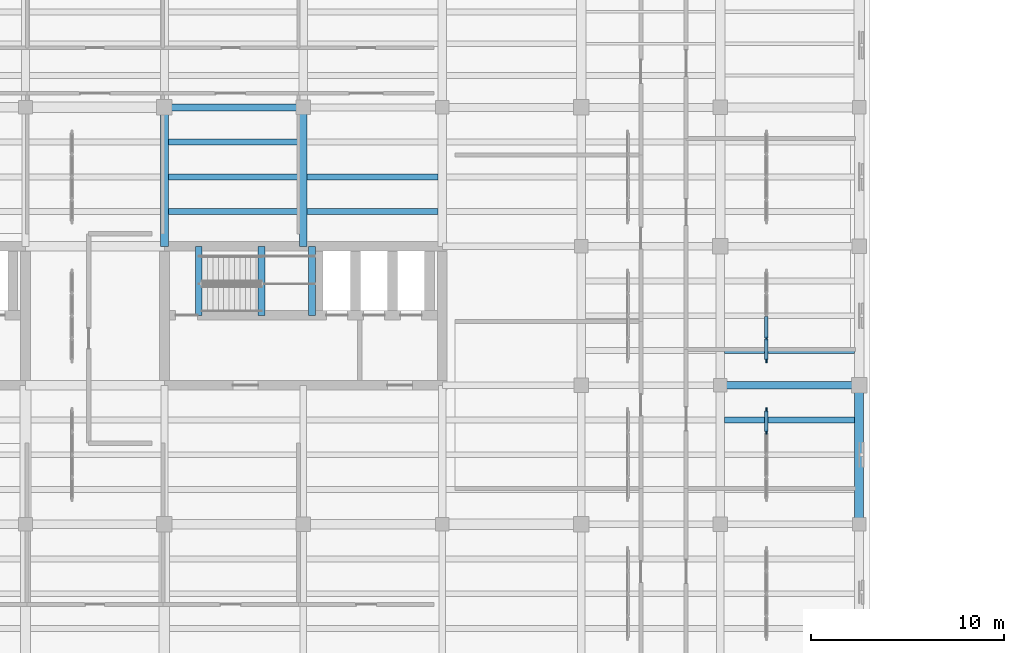
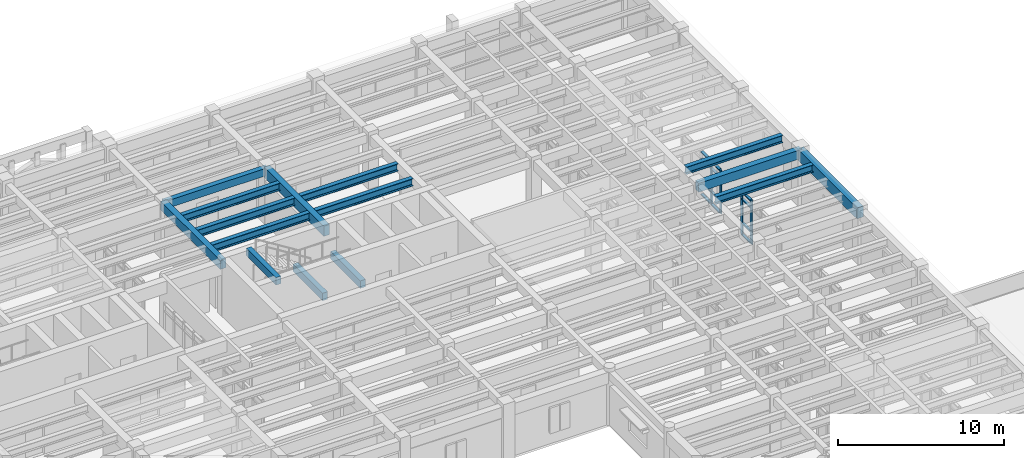
# One storey, part 32 of 76: 16 members, 15 beams, 2 elements without a shape of their own.
"""IFC4 building model written with IfcOpenShell, lengths in metres."""

from ifc_helpers import new_model, si_unit, direction, frame, origin, origin_2d, place, context, subcontext, project, spatial, rectangle, i_section, extrude, material, material_profile, profile_set, type_object, element, aggregate, save


model = new_model("IFC4")

# Units and contexts
model_context = context("Model", 3, precision=1e-05, world=origin(), true_north=direction((0.0, 1.0)))
body_context = subcontext(model_context, "Body", "Model", "MODEL_VIEW")
ifc_project = project(units=[si_unit("LENGTHUNIT", "METRE"), si_unit("AREAUNIT", "SQUARE_METRE"), si_unit("VOLUMEUNIT", "CUBIC_METRE"), si_unit("PLANEANGLEUNIT", "RADIAN"), si_unit("MASSUNIT", "GRAM", prefix="KILO")], contexts=[model_context])

# Site, building, storey
site_placement = place(None, origin())
site = spatial("IfcSite", under=ifc_project, at=site_placement, CompositionType="ELEMENT")
building_placement = place(site_placement, origin())
building = spatial("IfcBuilding", under=site, at=building_placement, Name="Mithqara Police Headquarters", CompositionType="ELEMENT")
storey_placement = place(building_placement, frame((0.0, 0.0, 5.39990234375)))
storey = spatial("IfcBuildingStorey", under=building, at=storey_placement, Name="L01", CompositionType="ELEMENT", Elevation=5.39990234375)

# Beams
ifc_material_1 = material(Name="Steel S355JR", Category="steel")
ifc_material_profile_1 = material_profile(ifc_material_1, i_section(OverallWidth=0.300048828125, OverallDepth=0.550048828125, WebThickness=0.014892578125, FlangeThickness=0.029052734375, FilletRadius=0.027099609375, at=origin_2d()), Name="HEB 550")
ifc_profile_set_1 = profile_set([ifc_material_profile_1], Name="Steel S355JR")
beam_type_1 = type_object("IfcBeamType", Name="BEAM HEB550", PredefinedType="BEAM", material=ifc_profile_set_1)
for number, where, z_axis, x_axis, name in (
    (1, (130.39990234375, 102.0, 3.64501953125), (1.0, 0.0, 0.0), (0.0, 1.0, 0.0), "L01 Composite Steel Joist 19-20/Q.1"),
    (2, (130.39990234375, 103.800048828125, 3.64501953125), (1.0, 0.0, 0.0), (0.0, 1.0, 0.0), "L01 Composite Steel Joist 19-20/Q.2"),
    (3, (130.39990234375, 105.60009765625, 3.64501953125), (1.0, 0.0, 0.0), (0.0, 1.0, 0.0), "L01 Composite Steel Joist 19-20/Q.3"),
):
    element("IfcBeam", number, at=place(storey_placement, frame(where, z_axis=z_axis, x_axis=x_axis)), inside=storey, type_object=beam_type_1, Name=name, PredefinedType="BEAM", context=body_context, shape_type="SweptSolid", body=[
        extrude(i_section(OverallWidth=0.300048828125, OverallDepth=0.550048828125, WebThickness=0.014892578125, FlangeThickness=0.029052734375, FilletRadius=0.027099609375, at=origin_2d()), origin(), (0.0, 0.0, 1.0), 6.800048828125),
    ])
for number, where, z_axis, x_axis, name in (
    (4, (137.60009765625, 102.0, 3.64501953125), (1.0, 0.0, 0.0), (0.0, 1.0, 0.0), "L01 Composite Steel Joist 20-21/Q.1"),
    (5, (137.60009765625, 103.800048828125, 3.64501953125), (1.0, 0.0, 0.0), (0.0, 1.0, 0.0), "L01 Composite Steel Joist 20-21/Q.2"),
):
    element("IfcBeam", number, at=place(storey_placement, frame(where, z_axis=z_axis, x_axis=x_axis)), inside=storey, type_object=beam_type_1, Name=name, PredefinedType="BEAM", context=body_context, shape_type="SweptSolid", body=[
        extrude(i_section(OverallWidth=0.300048828125, OverallDepth=0.550048828125, WebThickness=0.014892578125, FlangeThickness=0.029052734375, FilletRadius=0.027099609375, at=origin_2d()), origin(), (0.0, 0.0, 1.0), 6.77490234375),
    ])
beam_1_placement = place(storey_placement, frame((159.22509765625, 91.199951171875, 3.64501953125), z_axis=(1.0, 0.0, 0.0), x_axis=(0.0, 1.0, 0.0)))
element("IfcBeam", 6, at=beam_1_placement, inside=storey, type_object=beam_type_1, Name="L01 Composite Steel Joist 23-24/N.3", PredefinedType="BEAM", context=body_context, shape_type="SweptSolid", body=[
    extrude(i_section(OverallWidth=0.300048828125, OverallDepth=0.550048828125, WebThickness=0.014892578125, FlangeThickness=0.029052734375, FilletRadius=0.027099609375, at=origin_2d()), origin(), (0.0, 0.0, 1.0), 6.75),
])
beam_2_placement = place(storey_placement, frame((159.22509765625, 94.800048828125, 3.64501953125), z_axis=(1.0, 0.0, 0.0), x_axis=(0.0, 1.0, 0.0)))
element("IfcBeam", 7, at=beam_2_placement, inside=storey, type_object=beam_type_1, Name="L01 Composite Steel Joist 23-24/P.1", PredefinedType="BEAM", context=body_context, shape_type="SweptSolid", body=[
    extrude(i_section(OverallWidth=0.300048828125, OverallDepth=0.550048828125, WebThickness=0.014892578125, FlangeThickness=0.029052734375, FilletRadius=0.027099609375, at=origin_2d()), origin(), (0.0, 0.0, 1.0), 6.724853515625),
])
ifc_material_2 = material(Name="Concrete C40/50", Category="concrete")
ifc_material_profile_2 = material_profile(ifc_material_2, rectangle(XDim=0.35009765625, YDim=0.550048828125, at=origin_2d()), Name="RC 350x550")
ifc_profile_set_2 = profile_set([ifc_material_profile_2], Name="Concrete C40/50")
beam_type_2 = type_object("IfcBeamType", Name="BEAM RC350X550", PredefinedType="BEAM", material=ifc_profile_set_2)
beam_3_placement = place(storey_placement, frame((130.199951171875, 107.39990234375, 3.64501953125), z_axis=(1.0, 0.0, 0.0), x_axis=(0.0, 1.0, 0.0)))
element("IfcBeam", 8, at=beam_3_placement, inside=storey, type_object=beam_type_2, Name="L01 Girder 19-20/R", PredefinedType="BEAM", context=body_context, shape_type="SweptSolid", body=[
    extrude(rectangle(XDim=0.35009765625, YDim=0.550048828125, at=origin_2d()), origin(), (0.0, 0.0, 1.0), 7.199951171875),
])
for number, where, z_axis, x_axis, name in (
    (9, (135.22998046875, 96.6201171875, 1.635009765625), (0.0, 1.0, 0.0), (-1.0, 0.0, 0.0), "L01 ST-02 Half-Landing Bearer LF"),
    (10, (137.85009765625, 96.6201171875, 1.635009765625), (0.0, 1.0, 0.0), (-1.0, 0.0, 0.0), "L01 ST-02 Half-Landing Bearer LB"),
    (11, (131.97705078125, 96.6201171875, 3.925048828125), (0.0, 1.0, 0.0), (-1.0, 0.0, 0.0), "L01 ST-02 Stairwell Trimmer Beam"),
):
    element("IfcBeam", number, at=place(storey_placement, frame(where, z_axis=z_axis, x_axis=x_axis)), inside=storey, type_object=beam_type_2, Name=name, PredefinedType="BEAM", context=body_context, shape_type="SweptSolid", body=[
        extrude(rectangle(XDim=0.35009765625, YDim=0.550048828125, at=origin_2d()), origin(), (0.0, 0.0, 1.0), 3.579833984375),
    ])
ifc_material_profile_3 = material_profile(ifc_material_2, rectangle(XDim=0.39990234375, YDim=0.64990234375, at=origin_2d()), Name="RC 400x650")
ifc_profile_set_3 = profile_set([ifc_material_profile_3], Name="Concrete C40/50")
beam_type_3 = type_object("IfcBeamType", Name="BEAM RC400X650", PredefinedType="BEAM", material=ifc_profile_set_3)
for number, where, z_axis, x_axis, name in (
    (12, (130.199951171875, 100.199951171875, 3.59521484375), (0.0, 1.0, 0.0), (-1.0, 0.0, 0.0), "L01 Girder 19/Q-R"),
    (13, (159.0, 93.0, 3.59521484375), (1.0, 0.0, 0.0), (0.0, 1.0, 0.0), "L01 Girder 23-24/P"),
):
    element("IfcBeam", number, at=place(storey_placement, frame(where, z_axis=z_axis, x_axis=x_axis)), inside=storey, type_object=beam_type_3, Name=name, PredefinedType="BEAM", context=body_context, shape_type="SweptSolid", body=[
        extrude(rectangle(XDim=0.39990234375, YDim=0.64990234375, at=origin_2d()), origin(), (0.0, 0.0, 1.0), 7.199951171875),
    ])
ifc_material_profile_4 = material_profile(ifc_material_2, rectangle(XDim=0.39990234375, YDim=0.75, at=origin_2d()), Name="RC 400x750")
ifc_profile_set_4 = profile_set([ifc_material_profile_4], Name="Concrete C40/50")
beam_type_4 = type_object("IfcBeamType", Name="BEAM RC400X750", PredefinedType="BEAM", material=ifc_profile_set_4)
beam_4_placement = place(storey_placement, frame((137.39990234375, 100.199951171875, 3.545166015625), z_axis=(0.0, 1.0, 0.0), x_axis=(-1.0, 0.0, 0.0)))
element("IfcBeam", 14, at=beam_4_placement, inside=storey, type_object=beam_type_4, Name="L01 Girder 20/Q-R", PredefinedType="BEAM", context=body_context, shape_type="SweptSolid", body=[
    extrude(rectangle(XDim=0.39990234375, YDim=0.75, at=origin_2d()), origin(), (0.0, 0.0, 1.0), 7.199951171875),
])
ifc_material_profile_5 = material_profile(ifc_material_2, rectangle(XDim=0.449951171875, YDim=0.800048828125, at=origin_2d()), Name="RC 450x800")
ifc_profile_set_5 = profile_set([ifc_material_profile_5], Name="Concrete C40/50")
beam_type_5 = type_object("IfcBeamType", Name="BEAM RC450X800", PredefinedType="BEAM", material=ifc_profile_set_5)
beam_5_placement = place(storey_placement, frame((166.199951171875, 85.800048828125, 3.52001953125), z_axis=(0.0, 1.0, 0.0), x_axis=(-1.0, 0.0, 0.0)))
element("IfcBeam", 15, at=beam_5_placement, inside=storey, type_object=beam_type_5, Name="L01 Girder 24/N-P", PredefinedType="BEAM", context=body_context, shape_type="SweptSolid", body=[
    extrude(rectangle(XDim=0.449951171875, YDim=0.800048828125, at=origin_2d()), origin(), (0.0, 0.0, 1.0), 7.199951171875),
])

# Curtain wall, members
ifc_material_3 = material(Name="Bronze anodised aluminium 6063-T6", Category="aluminium")
curtain_wall_type = type_object("IfcCurtainWallType", Name="CURTAIN WALL 4700X3200", PredefinedType="USERDEFINED", material=ifc_material_3)
curtain_wall_1_placement = place(storey_placement, origin())
curtain_wall_1 = element("IfcCurtainWall", 16, at=curtain_wall_1_placement, inside=storey, type_object=curtain_wall_type, Name="L01 Unitised Glazing CW-15 (CW-INT-L01-X22-Y12-0)", ObjectType="UNITISED GLAZING", PredefinedType="USERDEFINED")
ifc_material_profile_6 = material_profile(ifc_material_3, rectangle(XDim=0.074951171875, YDim=0.219970703125, at=origin_2d()), Name="CWM 75x220")
ifc_profile_set_6 = profile_set([ifc_material_profile_6], Name="Bronze anodised aluminium 6063-T6")
member_type_1 = type_object("IfcMemberType", Name="CWMULLION 75X220", PredefinedType="MULLION", material=ifc_profile_set_6)
member_1_placement = place(storey_placement, frame((161.39990234375, 90.574951171875, 0.0), z_axis=(0.0, 0.0, 1.0), x_axis=(-1.0, 0.0, 0.0)))
member_1 = element("IfcMember", 17, at=member_1_placement, type_object=member_type_1, Name="CW-15 mullion 4", PredefinedType="MULLION", context=body_context, shape_type="SweptSolid", body=[
    extrude(rectangle(XDim=0.074951171875, YDim=0.219970703125, at=origin_2d()), origin(), (0.0, 0.0, 1.0), 3.2001953125),
])
member_2_placement = place(storey_placement, frame((161.39990234375, 91.71240234375, 0.0), z_axis=(0.0, 0.0, 1.0), x_axis=(-1.0, 0.0, 0.0)))
member_2 = element("IfcMember", 18, at=member_2_placement, type_object=member_type_1, Name="CW-15 mullion 5", PredefinedType="MULLION", context=body_context, shape_type="SweptSolid", body=[
    extrude(rectangle(XDim=0.074951171875, YDim=0.219970703125, at=origin_2d()), origin(), (0.0, 0.0, 1.0), 3.2001953125),
])

curtain_wall_2_placement = place(storey_placement, origin())
curtain_wall_2 = element("IfcCurtainWall", 19, at=curtain_wall_2_placement, inside=storey, type_object=curtain_wall_type, Name="L01 Unitised Glazing CW-15 (CW-INT-L01-X22-Y13-0)", ObjectType="UNITISED GLAZING", PredefinedType="USERDEFINED")
member_3_placement = place(storey_placement, frame((161.39990234375, 94.28759765625, 0.0), z_axis=(0.0, 0.0, 1.0), x_axis=(-1.0, 0.0, 0.0)))
member_3 = element("IfcMember", 20, at=member_3_placement, type_object=member_type_1, Name="CW-15 mullion 1", PredefinedType="MULLION", context=body_context, shape_type="SweptSolid", body=[
    extrude(rectangle(XDim=0.074951171875, YDim=0.219970703125, at=origin_2d()), origin(), (0.0, 0.0, 1.0), 3.2001953125),
])
member_4_placement = place(storey_placement, frame((161.39990234375, 95.425048828125, 0.0), z_axis=(0.0, 0.0, 1.0), x_axis=(-1.0, 0.0, 0.0)))
member_4 = element("IfcMember", 21, at=member_4_placement, type_object=member_type_1, Name="CW-15 mullion 2", PredefinedType="MULLION", context=body_context, shape_type="SweptSolid", body=[
    extrude(rectangle(XDim=0.074951171875, YDim=0.219970703125, at=origin_2d()), origin(), (0.0, 0.0, 1.0), 3.2001953125),
])

# Member
ifc_material_profile_7 = material_profile(ifc_material_3, rectangle(XDim=0.179931640625, YDim=0.074951171875, at=origin_2d()), Name="CWT 180x75")
ifc_profile_set_7 = profile_set([ifc_material_profile_7], Name="Bronze anodised aluminium 6063-T6")
member_type_2 = type_object("IfcMemberType", Name="CWTRANSOM 180X75", PredefinedType="USERDEFINED", material=ifc_profile_set_7)
member_5_placement = place(storey_placement, frame((161.39990234375, 90.612548828125, 0.03759765625), z_axis=(0.0, 1.0, 0.0), x_axis=(-1.0, 0.0, 0.0)))
member_5 = element("IfcMember", 22, at=member_5_placement, type_object=member_type_2, Name="CW-15 transom 4.1", ObjectType="TRANSOM", PredefinedType="USERDEFINED", context=body_context, shape_type="SweptSolid", body=[
    extrude(rectangle(XDim=0.179931640625, YDim=0.074951171875, at=origin_2d()), origin(), (0.0, 0.0, 1.0), 1.0625),
])

member_6_placement = place(storey_placement, frame((161.39990234375, 90.612548828125, 0.900146484375), z_axis=(0.0, 1.0, 0.0), x_axis=(-1.0, 0.0, 0.0)))
member_6 = element("IfcMember", 23, at=member_6_placement, type_object=member_type_2, Name="CW-15 transom 4.2", ObjectType="TRANSOM", PredefinedType="USERDEFINED", context=body_context, shape_type="SweptSolid", body=[
    extrude(rectangle(XDim=0.179931640625, YDim=0.074951171875, at=origin_2d()), origin(), (0.0, 0.0, 1.0), 1.0625),
])

member_7_placement = place(storey_placement, frame((161.39990234375, 90.612548828125, 2.650146484375), z_axis=(0.0, 1.0, 0.0), x_axis=(-1.0, 0.0, 0.0)))
member_7 = element("IfcMember", 24, at=member_7_placement, type_object=member_type_2, Name="CW-15 transom 4.3", ObjectType="TRANSOM", PredefinedType="USERDEFINED", context=body_context, shape_type="SweptSolid", body=[
    extrude(rectangle(XDim=0.179931640625, YDim=0.074951171875, at=origin_2d()), origin(), (0.0, 0.0, 1.0), 1.0625),
])

member_8_placement = place(storey_placement, frame((161.39990234375, 90.612548828125, 3.16259765625), z_axis=(0.0, 1.0, 0.0), x_axis=(-1.0, 0.0, 0.0)))
member_8 = element("IfcMember", 25, at=member_8_placement, type_object=member_type_2, Name="CW-15 transom 4.4", ObjectType="TRANSOM", PredefinedType="USERDEFINED", context=body_context, shape_type="SweptSolid", body=[
    extrude(rectangle(XDim=0.179931640625, YDim=0.074951171875, at=origin_2d()), origin(), (0.0, 0.0, 1.0), 1.0625),
])

aggregate(curtain_wall_1, [member_1, member_2, member_5, member_6, member_7, member_8])

member_9_placement = place(storey_placement, frame((161.39990234375, 94.324951171875, 0.03759765625), z_axis=(0.0, 1.0, 0.0), x_axis=(-1.0, 0.0, 0.0)))
member_9 = element("IfcMember", 26, at=member_9_placement, type_object=member_type_2, Name="CW-15 transom 1.1", ObjectType="TRANSOM", PredefinedType="USERDEFINED", context=body_context, shape_type="SweptSolid", body=[
    extrude(rectangle(XDim=0.179931640625, YDim=0.074951171875, at=origin_2d()), origin(), (0.0, 0.0, 1.0), 1.0625),
])

member_10_placement = place(storey_placement, frame((161.39990234375, 94.324951171875, 0.900146484375), z_axis=(0.0, 1.0, 0.0), x_axis=(-1.0, 0.0, 0.0)))
member_10 = element("IfcMember", 27, at=member_10_placement, type_object=member_type_2, Name="CW-15 transom 1.2", ObjectType="TRANSOM", PredefinedType="USERDEFINED", context=body_context, shape_type="SweptSolid", body=[
    extrude(rectangle(XDim=0.179931640625, YDim=0.074951171875, at=origin_2d()), origin(), (0.0, 0.0, 1.0), 1.0625),
])

member_11_placement = place(storey_placement, frame((161.39990234375, 94.324951171875, 2.650146484375), z_axis=(0.0, 1.0, 0.0), x_axis=(-1.0, 0.0, 0.0)))
member_11 = element("IfcMember", 28, at=member_11_placement, type_object=member_type_2, Name="CW-15 transom 1.3", ObjectType="TRANSOM", PredefinedType="USERDEFINED", context=body_context, shape_type="SweptSolid", body=[
    extrude(rectangle(XDim=0.179931640625, YDim=0.074951171875, at=origin_2d()), origin(), (0.0, 0.0, 1.0), 1.0625),
])

member_12_placement = place(storey_placement, frame((161.39990234375, 94.324951171875, 3.16259765625), z_axis=(0.0, 1.0, 0.0), x_axis=(-1.0, 0.0, 0.0)))
member_12 = element("IfcMember", 29, at=member_12_placement, type_object=member_type_2, Name="CW-15 transom 1.4", ObjectType="TRANSOM", PredefinedType="USERDEFINED", context=body_context, shape_type="SweptSolid", body=[
    extrude(rectangle(XDim=0.179931640625, YDim=0.074951171875, at=origin_2d()), origin(), (0.0, 0.0, 1.0), 1.0625),
])

member_13_placement = place(storey_placement, frame((161.39990234375, 95.46240234375, 0.03759765625), z_axis=(0.0, 1.0, 0.0), x_axis=(-1.0, 0.0, 0.0)))
member_13 = element("IfcMember", 30, at=member_13_placement, type_object=member_type_2, Name="CW-15 transom 2.1", ObjectType="TRANSOM", PredefinedType="USERDEFINED", context=body_context, shape_type="SweptSolid", body=[
    extrude(rectangle(XDim=0.179931640625, YDim=0.074951171875, at=origin_2d()), origin(), (0.0, 0.0, 1.0), 1.10009765625),
])

member_14_placement = place(storey_placement, frame((161.39990234375, 95.46240234375, 0.900146484375), z_axis=(0.0, 1.0, 0.0), x_axis=(-1.0, 0.0, 0.0)))
member_14 = element("IfcMember", 31, at=member_14_placement, type_object=member_type_2, Name="CW-15 transom 2.2", ObjectType="TRANSOM", PredefinedType="USERDEFINED", context=body_context, shape_type="SweptSolid", body=[
    extrude(rectangle(XDim=0.179931640625, YDim=0.074951171875, at=origin_2d()), origin(), (0.0, 0.0, 1.0), 1.10009765625),
])

member_15_placement = place(storey_placement, frame((161.39990234375, 95.46240234375, 2.650146484375), z_axis=(0.0, 1.0, 0.0), x_axis=(-1.0, 0.0, 0.0)))
member_15 = element("IfcMember", 32, at=member_15_placement, type_object=member_type_2, Name="CW-15 transom 2.3", ObjectType="TRANSOM", PredefinedType="USERDEFINED", context=body_context, shape_type="SweptSolid", body=[
    extrude(rectangle(XDim=0.179931640625, YDim=0.074951171875, at=origin_2d()), origin(), (0.0, 0.0, 1.0), 1.10009765625),
])

member_16_placement = place(storey_placement, frame((161.39990234375, 95.46240234375, 3.16259765625), z_axis=(0.0, 1.0, 0.0), x_axis=(-1.0, 0.0, 0.0)))
member_16 = element("IfcMember", 33, at=member_16_placement, type_object=member_type_2, Name="CW-15 transom 2.4", ObjectType="TRANSOM", PredefinedType="USERDEFINED", context=body_context, shape_type="SweptSolid", body=[
    extrude(rectangle(XDim=0.179931640625, YDim=0.074951171875, at=origin_2d()), origin(), (0.0, 0.0, 1.0), 1.10009765625),
])

aggregate(curtain_wall_2, [member_3, member_4, member_9, member_10, member_11, member_12, member_13, member_14, member_15, member_16])

save(model, "model.ifc")
